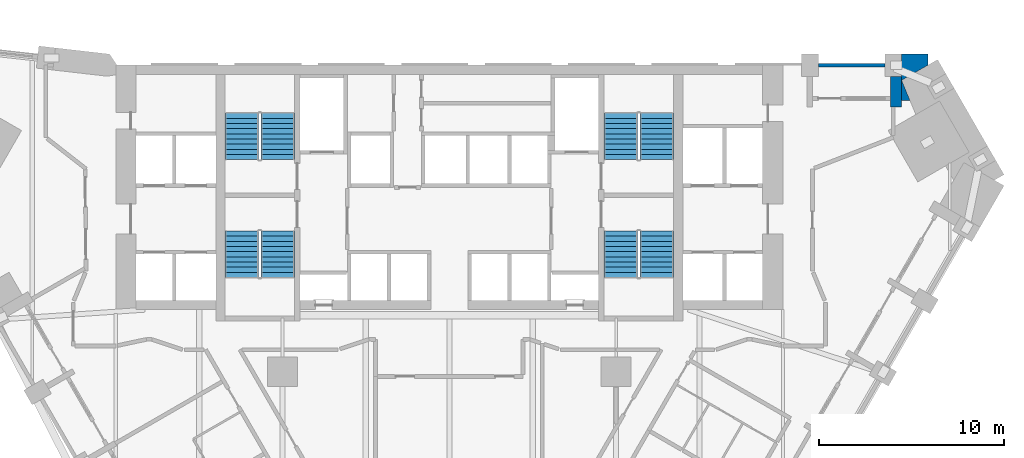
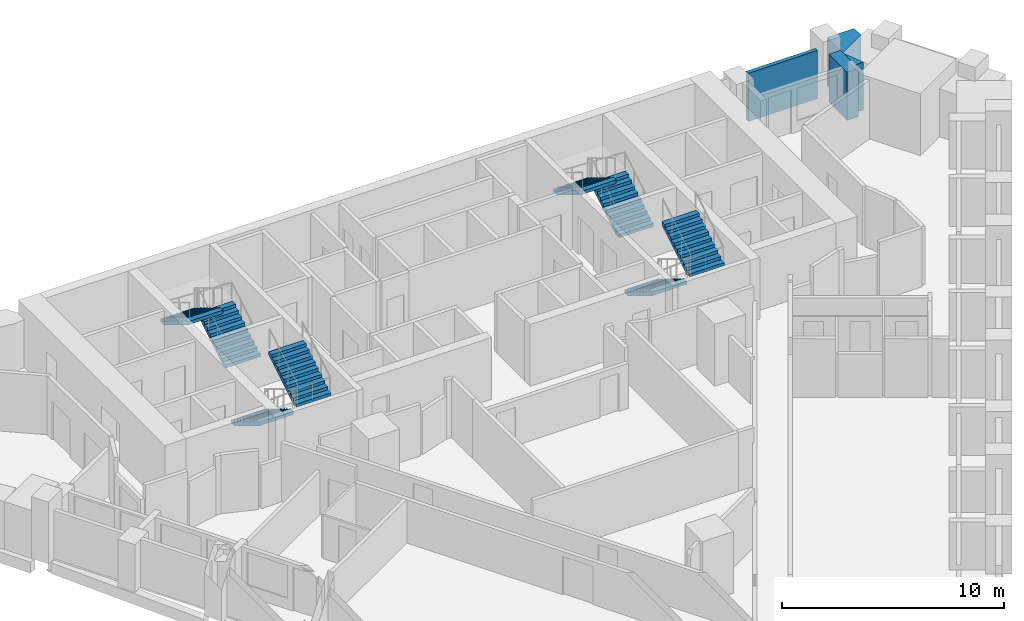
# One storey, part 9 of 10: 8 stair flights, 4 walls, 4 elements without a shape of their own.
"""IFC4 building model written with IfcOpenShell, lengths in metres."""

from ifc_helpers import new_model, si_unit, direction, frame, frame_2d, origin, place, context, subcontext, project, spatial, polyline, rectangle, outline, extrude, faceted_brep, source, transform, mapped, material, layer, layer_set, type_object, element, aggregate, save


model = new_model("IFC4")

# Units and contexts
model_context = context("Model", 3, precision=1e-05, world=origin(), true_north=direction((0.0, 1.0)))
body_context = subcontext(model_context, "Body", "Model", "MODEL_VIEW")
ifc_project = project(units=[si_unit("LENGTHUNIT", "METRE"), si_unit("AREAUNIT", "SQUARE_METRE"), si_unit("VOLUMEUNIT", "CUBIC_METRE"), si_unit("PLANEANGLEUNIT", "RADIAN"), si_unit("MASSUNIT", "GRAM", prefix="KILO")], contexts=[model_context])

# Site, building, storey
site_placement = place(None, origin())
site = spatial("IfcSite", under=ifc_project, at=site_placement, CompositionType="ELEMENT")
building_placement = place(site_placement, origin())
building = spatial("IfcBuilding", under=site, at=building_placement, Name="Calabash Gate Tower", CompositionType="ELEMENT")
storey_placement = place(building_placement, frame((0.0, 0.0, 63.0)))
storey = spatial("IfcBuildingStorey", under=building, at=storey_placement, Name="L11", CompositionType="ELEMENT", Elevation=63.0)

# Walls
ifc_material_1 = material(Name="Terracotta brick masonry, exposed face", Category="masonry")
ifc_layer_1 = layer(ifc_material_1, 2.5)
ifc_layer_set_1 = layer_set([ifc_layer_1], Name="Brick corner mass wall 2500")
wall_type_1 = type_object("IfcWallType", Name="Brick corner mass wall 2500", PredefinedType="SOLIDWALL", material=ifc_layer_set_1)
wall_1_placement = place(storey_placement, origin())
element("IfcWall", 1, at=wall_1_placement, inside=storey, type_object=wall_type_1, Name="Brick corner pier S02 3ca", PredefinedType="SOLIDWALL", context=body_context, shape_type="SweptSolid", body=[
    extrude(outline(polyline([(24.413818359375, 17.152587890625), (24.860595703125, 17.152587890625), (24.413818359375, 18.234375), (24.413818359375, 17.152587890625)])), origin(), (0.0, 0.0, 1.0), 2.6298828125),
])
wall_2_placement = place(storey_placement, origin())
element("IfcWall", 2, at=wall_2_placement, inside=storey, type_object=wall_type_1, Name="Brick corner pier S02 3cb", PredefinedType="SOLIDWALL", context=body_context, shape_type="SweptSolid", body=[
    extrude(outline(polyline([(24.4140625, 19.652587890625), (24.4140625, 18.452880859375), (24.413818359375, 18.452880859375), (24.413818359375, 18.234375), (25.831298828125, 19.052490234375), (25.831298828125, 19.652587890625), (24.4140625, 19.652587890625)])), origin(), (0.0, 0.0, 1.0), 2.6298828125),
])
ifc_material_2 = material(Name="Terracotta brick masonry, exposed face", Category="masonry")
ifc_layer_2 = layer(ifc_material_2, 0.300048828125)
ifc_layer_set_2 = layer_set([ifc_layer_2], Name="Brick loggia cheek wall 300")
wall_type_2 = type_object("IfcWallType", Name="Brick loggia cheek wall 300", PredefinedType="SOLIDWALL", material=ifc_layer_set_2)
wall_3_placement = place(storey_placement, origin())
element("IfcWall", 3, at=wall_3_placement, inside=storey, type_object=wall_type_2, Name="Loggia cheek S02 N4.0", PredefinedType="SOLIDWALL", context=body_context, shape_type="SweptSolid", body=[
    extrude(outline(polyline([(24.413818359375, 16.802490234375), (24.413818359375, 18.45263671875), (23.81396484375, 18.45263671875), (23.81396484375, 16.802490234375), (24.413818359375, 16.802490234375)])), origin(), (0.0, 0.0, 1.0), 2.64990234375),
])
ifc_material_3 = material(Name="Terracotta brick masonry, perforated", Category="masonry")
ifc_layer_3 = layer(ifc_material_3, 0.199951171875)
ifc_layer_set_3 = layer_set([ifc_layer_3], Name="Terracotta jaali screen B")
wall_type_3 = type_object("IfcWallType", Name="Terracotta jaali screen B", PredefinedType="SOLIDWALL", material=ifc_layer_set_3)
wall_4_placement = place(storey_placement, frame((23.513916015625, 19.052490234375, 0.0), z_axis=(0.0, 0.0, 1.0), x_axis=(-1.0, 0.0, 0.0)))
element("IfcWall", 4, at=wall_4_placement, inside=storey, type_object=wall_type_3, Name="SCREEN B S02 N4.1", PredefinedType="SOLIDWALL", context=body_context, shape_type="SweptSolid", body=[
    extrude(rectangle(XDim=3.60009765625, YDim=0.199951171875, at=frame_2d((1.800048828125, 0.0))), origin(), (0.0, 0.0, 1.0), 2.64990234375),
])

# Stair, stair flights
ifc_material_4 = material(Name="Concrete C40/50", Category="concrete")
stair_type = type_object("IfcStairType", Name="Exit stair 20 risers of 170 mm", PredefinedType="HALF_TURN_STAIR", material=ifc_material_4)
stair_1_placement = place(storey_placement, origin())
stair_1 = element("IfcStair", 5, at=stair_1_placement, inside=storey, type_object=stair_type, Name="L11 Exit stair ST1", PredefinedType="HALF_TURN_STAIR")
ifc_material_5 = material(Name="Concrete C40/50", Category="concrete")
stair_flight_type = type_object("IfcStairFlightType", Name="Exit stair flight SFL", PredefinedType="STRAIGHT", material=ifc_material_5)
shared_shape = source(origin(), body_context, "Body", "Brep", [
    faceted_brep([(-0.0009765625, -0.89990234375, 0.0), (0.2880859375, -0.89990234375, 0.0), (2.511962890625, -0.89990234375, 1.3544921875), (-0.0009765625, 0.89990234375, 0.0), (2.511962890625, 0.89990234375, 1.3544921875), (0.2880859375, 0.89990234375, 0.0), (2.511962890625, -0.89990234375, 1.5419921875), (2.510986328125, -0.89990234375, 1.5419921875), (2.510986328125, 0.89990234375, 1.5419921875), (2.511962890625, 0.89990234375, 1.5419921875), (2.510986328125, -0.89990234375, 1.530029296875), (2.510986328125, 0.89990234375, 1.530029296875), (2.23193359375, -0.89990234375, 1.530029296875), (2.23193359375, 0.89990234375, 1.530029296875), (2.23193359375, -0.89990234375, 1.360107421875), (2.23193359375, 0.89990234375, 1.360107421875), (1.952880859375, -0.89990234375, 1.360107421875), (1.952880859375, 0.89990234375, 1.360107421875), (1.952880859375, -0.89990234375, 1.18994140625), (1.952880859375, 0.89990234375, 1.18994140625), (1.674072265625, -0.89990234375, 1.18994140625), (1.674072265625, -0.89990234375, 1.02001953125), (1.674072265625, 0.89990234375, 1.02001953125), (1.674072265625, 0.89990234375, 1.18994140625), (1.39501953125, -0.89990234375, 1.02001953125), (1.39501953125, -0.89990234375, 0.85009765625), (1.39501953125, 0.89990234375, 0.85009765625), (1.39501953125, 0.89990234375, 1.02001953125), (1.115966796875, -0.89990234375, 0.85009765625), (1.115966796875, -0.89990234375, 0.679931640625), (1.115966796875, 0.89990234375, 0.679931640625), (1.115966796875, 0.89990234375, 0.85009765625), (0.8369140625, -0.89990234375, 0.679931640625), (0.8369140625, -0.89990234375, 0.510009765625), (0.8369140625, 0.89990234375, 0.510009765625), (0.8369140625, 0.89990234375, 0.679931640625), (0.55810546875, -0.89990234375, 0.510009765625), (0.55810546875, -0.89990234375, 0.340087890625), (0.55810546875, 0.89990234375, 0.340087890625), (0.55810546875, 0.89990234375, 0.510009765625), (0.279052734375, -0.89990234375, 0.340087890625), (0.279052734375, -0.89990234375, 0.169921875), (0.279052734375, 0.89990234375, 0.169921875), (0.279052734375, 0.89990234375, 0.340087890625), (-0.0009765625, -0.89990234375, 0.169921875), (-0.0009765625, 0.89990234375, 0.169921875), (0.2880859375, -0.360107421875, 0.0), (2.511962890625, -0.360107421875, 1.3544921875), (0.2880859375, -0.179931640625, 0.0), (2.511962890625, -0.179931640625, 1.3544921875), (0.2880859375, 0.0, 0.0), (2.511962890625, 0.0, 1.3544921875), (0.2880859375, 0.179931640625, 0.0), (2.511962890625, 0.179931640625, 1.3544921875), (0.2880859375, 0.360107421875, 0.0), (2.511962890625, 0.360107421875, 1.3544921875), (2.511962890625, -0.360107421875, 1.5419921875), (2.511962890625, -0.179931640625, 1.5419921875), (2.511962890625, 0.0, 1.5419921875), (2.511962890625, 0.179931640625, 1.5419921875), (2.511962890625, 0.360107421875, 1.5419921875), (2.510986328125, -0.360107421875, 1.5419921875), (2.510986328125, -0.179931640625, 1.5419921875), (2.510986328125, 0.0, 1.5419921875), (2.510986328125, 0.179931640625, 1.5419921875), (2.510986328125, 0.360107421875, 1.5419921875), (2.510986328125, -0.360107421875, 1.530029296875), (2.510986328125, -0.179931640625, 1.530029296875), (2.510986328125, 0.0, 1.530029296875), (2.510986328125, 0.179931640625, 1.530029296875), (2.510986328125, 0.360107421875, 1.530029296875), (2.23193359375, -0.360107421875, 1.530029296875), (2.23193359375, -0.179931640625, 1.530029296875), (2.23193359375, 0.0, 1.530029296875), (2.23193359375, 0.179931640625, 1.530029296875), (2.23193359375, 0.360107421875, 1.530029296875), (2.23193359375, -0.360107421875, 1.360107421875), (2.23193359375, -0.179931640625, 1.360107421875), (2.23193359375, 0.0, 1.360107421875), (2.23193359375, 0.179931640625, 1.360107421875), (2.23193359375, 0.360107421875, 1.360107421875), (1.952880859375, -0.360107421875, 1.360107421875), (1.952880859375, -0.179931640625, 1.360107421875), (1.952880859375, 0.0, 1.360107421875), (1.952880859375, 0.179931640625, 1.360107421875), (1.952880859375, 0.360107421875, 1.360107421875), (1.952880859375, -0.360107421875, 1.18994140625), (1.952880859375, -0.179931640625, 1.18994140625), (1.952880859375, 0.0, 1.18994140625), (1.952880859375, 0.179931640625, 1.18994140625), (1.952880859375, 0.360107421875, 1.18994140625), (1.674072265625, -0.360107421875, 1.18994140625), (1.674072265625, -0.179931640625, 1.18994140625), (1.674072265625, 0.0, 1.18994140625), (1.674072265625, 0.179931640625, 1.18994140625), (1.674072265625, 0.360107421875, 1.18994140625), (1.674072265625, -0.360107421875, 1.02001953125), (1.674072265625, -0.179931640625, 1.02001953125), (1.674072265625, 0.0, 1.02001953125), (1.674072265625, 0.179931640625, 1.02001953125), (1.674072265625, 0.360107421875, 1.02001953125), (1.39501953125, -0.360107421875, 1.02001953125), (1.39501953125, -0.179931640625, 1.02001953125), (1.39501953125, 0.0, 1.02001953125), (1.39501953125, 0.179931640625, 1.02001953125), (1.39501953125, 0.360107421875, 1.02001953125), (1.39501953125, -0.360107421875, 0.85009765625), (1.39501953125, -0.179931640625, 0.85009765625), (1.39501953125, 0.0, 0.85009765625), (1.39501953125, 0.179931640625, 0.85009765625), (1.39501953125, 0.360107421875, 0.85009765625), (1.115966796875, -0.360107421875, 0.85009765625), (1.115966796875, -0.179931640625, 0.85009765625), (1.115966796875, 0.0, 0.85009765625), (1.115966796875, 0.179931640625, 0.85009765625), (1.115966796875, 0.360107421875, 0.85009765625), (1.115966796875, -0.360107421875, 0.679931640625), (1.115966796875, -0.179931640625, 0.679931640625), (1.115966796875, 0.0, 0.679931640625), (1.115966796875, 0.179931640625, 0.679931640625), (1.115966796875, 0.360107421875, 0.679931640625), (0.8369140625, -0.360107421875, 0.679931640625), (0.8369140625, -0.179931640625, 0.679931640625), (0.8369140625, 0.0, 0.679931640625), (0.8369140625, 0.179931640625, 0.679931640625), (0.8369140625, 0.360107421875, 0.679931640625), (0.8369140625, -0.360107421875, 0.510009765625), (0.8369140625, -0.179931640625, 0.510009765625), (0.8369140625, 0.0, 0.510009765625), (0.8369140625, 0.179931640625, 0.510009765625), (0.8369140625, 0.360107421875, 0.510009765625), (0.55810546875, -0.360107421875, 0.510009765625), (0.55810546875, -0.179931640625, 0.510009765625), (0.55810546875, 0.0, 0.510009765625), (0.55810546875, 0.179931640625, 0.510009765625), (0.55810546875, 0.360107421875, 0.510009765625), (0.55810546875, -0.360107421875, 0.340087890625), (0.55810546875, -0.179931640625, 0.340087890625), (0.55810546875, 0.0, 0.340087890625), (0.55810546875, 0.179931640625, 0.340087890625), (0.55810546875, 0.360107421875, 0.340087890625), (0.279052734375, -0.360107421875, 0.340087890625), (0.279052734375, -0.179931640625, 0.340087890625), (0.279052734375, 0.0, 0.340087890625), (0.279052734375, 0.179931640625, 0.340087890625), (0.279052734375, 0.360107421875, 0.340087890625), (0.279052734375, -0.360107421875, 0.169921875), (0.279052734375, -0.179931640625, 0.169921875), (0.279052734375, 0.0, 0.169921875), (0.279052734375, 0.179931640625, 0.169921875), (0.279052734375, 0.360107421875, 0.169921875), (-0.0009765625, -0.360107421875, 0.169921875), (-0.0009765625, -0.179931640625, 0.169921875), (-0.0009765625, 0.0, 0.169921875), (-0.0009765625, 0.179931640625, 0.169921875), (-0.0009765625, 0.360107421875, 0.169921875), (-0.0009765625, -0.360107421875, 0.0), (-0.0009765625, -0.179931640625, 0.0), (-0.0009765625, 0.0, 0.0), (-0.0009765625, 0.179931640625, 0.0), (-0.0009765625, 0.360107421875, 0.0)], [[[0, 1, 2]], [[3, 4, 5]], [[2, 6, 7]], [[4, 8, 9]], [[2, 7, 10]], [[4, 11, 8]], [[2, 10, 12]], [[4, 13, 11]], [[2, 12, 14]], [[4, 15, 13]], [[2, 14, 16]], [[4, 17, 15]], [[2, 16, 18]], [[4, 19, 17]], [[18, 20, 21]], [[19, 22, 23]], [[2, 18, 21]], [[4, 22, 19]], [[21, 24, 25]], [[22, 26, 27]], [[2, 21, 25]], [[4, 26, 22]], [[25, 28, 29]], [[26, 30, 31]], [[2, 25, 29]], [[4, 30, 26]], [[29, 32, 33]], [[30, 34, 35]], [[2, 29, 33]], [[4, 34, 30]], [[33, 36, 37]], [[34, 38, 39]], [[2, 33, 37]], [[4, 38, 34]], [[37, 40, 41]], [[38, 42, 43]], [[2, 37, 41]], [[4, 42, 38]], [[0, 2, 41]], [[3, 42, 4]], [[41, 44, 0]], [[42, 3, 45]], [[1, 46, 2]], [[46, 47, 2]], [[46, 48, 47]], [[48, 49, 47]], [[48, 50, 49]], [[50, 51, 49]], [[50, 52, 53]], [[50, 53, 51]], [[52, 54, 55]], [[52, 55, 53]], [[54, 5, 4]], [[54, 4, 55]], [[2, 47, 6]], [[47, 56, 6]], [[47, 49, 56]], [[49, 57, 56]], [[49, 51, 57]], [[51, 58, 57]], [[51, 53, 59]], [[51, 59, 58]], [[53, 55, 60]], [[53, 60, 59]], [[55, 4, 9]], [[55, 9, 60]], [[6, 56, 7]], [[56, 61, 7]], [[56, 57, 61]], [[57, 62, 61]], [[57, 58, 62]], [[58, 63, 62]], [[58, 59, 64]], [[58, 64, 63]], [[59, 60, 65]], [[59, 65, 64]], [[60, 9, 8]], [[60, 8, 65]], [[7, 61, 10]], [[61, 66, 10]], [[61, 62, 66]], [[62, 67, 66]], [[62, 63, 67]], [[63, 68, 67]], [[63, 64, 69]], [[63, 69, 68]], [[64, 65, 70]], [[64, 70, 69]], [[65, 8, 11]], [[65, 11, 70]], [[10, 66, 12]], [[66, 71, 12]], [[66, 67, 71]], [[67, 72, 71]], [[67, 68, 72]], [[68, 73, 72]], [[68, 69, 74]], [[68, 74, 73]], [[69, 70, 75]], [[69, 75, 74]], [[70, 11, 13]], [[70, 13, 75]], [[12, 71, 14]], [[71, 76, 14]], [[71, 72, 76]], [[72, 77, 76]], [[72, 73, 77]], [[73, 78, 77]], [[73, 74, 79]], [[73, 79, 78]], [[74, 75, 80]], [[74, 80, 79]], [[75, 13, 15]], [[75, 15, 80]], [[14, 76, 16]], [[76, 81, 16]], [[76, 77, 81]], [[77, 82, 81]], [[77, 78, 82]], [[78, 83, 82]], [[78, 79, 84]], [[78, 84, 83]], [[79, 80, 85]], [[79, 85, 84]], [[80, 15, 17]], [[80, 17, 85]], [[16, 81, 18]], [[81, 86, 18]], [[81, 82, 86]], [[82, 87, 86]], [[82, 83, 87]], [[83, 88, 87]], [[83, 84, 89]], [[83, 89, 88]], [[84, 85, 90]], [[84, 90, 89]], [[85, 17, 19]], [[85, 19, 90]], [[18, 86, 20]], [[86, 91, 20]], [[86, 87, 91]], [[87, 92, 91]], [[87, 88, 92]], [[88, 93, 92]], [[88, 89, 94]], [[88, 94, 93]], [[89, 90, 95]], [[89, 95, 94]], [[90, 19, 23]], [[90, 23, 95]], [[20, 91, 21]], [[91, 96, 21]], [[91, 92, 96]], [[92, 97, 96]], [[92, 93, 97]], [[93, 98, 97]], [[93, 94, 99]], [[93, 99, 98]], [[94, 95, 100]], [[94, 100, 99]], [[95, 23, 22]], [[95, 22, 100]], [[21, 96, 24]], [[96, 101, 24]], [[96, 97, 101]], [[97, 102, 101]], [[97, 98, 102]], [[98, 103, 102]], [[98, 99, 104]], [[98, 104, 103]], [[99, 100, 105]], [[99, 105, 104]], [[100, 22, 27]], [[100, 27, 105]], [[24, 101, 25]], [[101, 106, 25]], [[101, 102, 106]], [[102, 107, 106]], [[102, 103, 107]], [[103, 108, 107]], [[103, 104, 109]], [[103, 109, 108]], [[104, 105, 110]], [[104, 110, 109]], [[105, 27, 26]], [[105, 26, 110]], [[25, 106, 28]], [[106, 111, 28]], [[106, 107, 111]], [[107, 112, 111]], [[107, 108, 112]], [[108, 113, 112]], [[108, 109, 114]], [[108, 114, 113]], [[109, 110, 115]], [[109, 115, 114]], [[110, 26, 31]], [[110, 31, 115]], [[28, 111, 29]], [[111, 116, 29]], [[111, 112, 116]], [[112, 117, 116]], [[112, 113, 117]], [[113, 118, 117]], [[113, 114, 119]], [[113, 119, 118]], [[114, 115, 120]], [[114, 120, 119]], [[115, 31, 30]], [[115, 30, 120]], [[29, 116, 32]], [[116, 121, 32]], [[116, 117, 121]], [[117, 122, 121]], [[117, 118, 122]], [[118, 123, 122]], [[118, 119, 124]], [[118, 124, 123]], [[119, 120, 125]], [[119, 125, 124]], [[120, 30, 35]], [[120, 35, 125]], [[32, 121, 33]], [[121, 126, 33]], [[121, 122, 126]], [[122, 127, 126]], [[122, 123, 127]], [[123, 128, 127]], [[123, 124, 129]], [[123, 129, 128]], [[124, 125, 130]], [[124, 130, 129]], [[125, 35, 34]], [[125, 34, 130]], [[33, 126, 36]], [[126, 131, 36]], [[126, 127, 131]], [[127, 132, 131]], [[127, 128, 132]], [[128, 133, 132]], [[128, 129, 134]], [[128, 134, 133]], [[129, 130, 135]], [[129, 135, 134]], [[130, 34, 39]], [[130, 39, 135]], [[36, 131, 37]], [[131, 136, 37]], [[131, 132, 136]], [[132, 137, 136]], [[132, 133, 137]], [[133, 138, 137]], [[133, 134, 139]], [[133, 139, 138]], [[134, 135, 140]], [[134, 140, 139]], [[135, 39, 38]], [[135, 38, 140]], [[37, 136, 40]], [[136, 141, 40]], [[136, 137, 141]], [[137, 142, 141]], [[137, 138, 142]], [[138, 143, 142]], [[138, 139, 144]], [[138, 144, 143]], [[139, 140, 145]], [[139, 145, 144]], [[140, 38, 43]], [[140, 43, 145]], [[40, 141, 41]], [[141, 146, 41]], [[141, 142, 146]], [[142, 147, 146]], [[142, 143, 147]], [[143, 148, 147]], [[143, 144, 149]], [[143, 149, 148]], [[144, 145, 150]], [[144, 150, 149]], [[145, 43, 42]], [[145, 42, 150]], [[41, 146, 44]], [[146, 151, 44]], [[146, 147, 151]], [[147, 152, 151]], [[147, 148, 152]], [[148, 153, 152]], [[148, 149, 154]], [[148, 154, 153]], [[149, 150, 155]], [[149, 155, 154]], [[150, 42, 45]], [[150, 45, 155]], [[44, 151, 0]], [[151, 156, 0]], [[151, 152, 156]], [[152, 157, 156]], [[152, 153, 157]], [[153, 158, 157]], [[153, 154, 159]], [[153, 159, 158]], [[154, 155, 160]], [[154, 160, 159]], [[155, 45, 3]], [[155, 3, 160]], [[0, 156, 1]], [[156, 46, 1]], [[156, 157, 46]], [[157, 48, 46]], [[157, 158, 48]], [[158, 50, 48]], [[158, 159, 52]], [[158, 52, 50]], [[159, 160, 54]], [[159, 54, 52]], [[160, 3, 5]], [[160, 5, 54]]]),
])
stair_flight_1_placement = place(storey_placement, frame((-9.25, 13.95263671875, 0.0), z_axis=(0.0, 0.0, 1.0), x_axis=(0.0, 1.0, 0.0)))
stair_flight_1 = element("IfcStairFlight", 6, at=stair_flight_1_placement, type_object=stair_flight_type, Name="ST1 flight 1", NumberOfRisers=10, NumberOfTreads=9, PredefinedType="STRAIGHT", RiserHeight=0.17, TreadLength=0.279, context=body_context, shape_type="MappedRepresentation", body=[
    mapped(shared_shape, transform((0.0, 0.0, 0.0), scale=1.0)),
])
stair_flight_2_placement = place(storey_placement, frame((-11.199951171875, 16.463623046875, 1.699951171875), z_axis=(0.0, 0.0, 1.0), x_axis=(0.0, -1.0, 0.0)))
stair_flight_2 = element("IfcStairFlight", 7, at=stair_flight_2_placement, type_object=stair_flight_type, Name="ST1 flight 2", NumberOfRisers=10, NumberOfTreads=9, PredefinedType="STRAIGHT", RiserHeight=0.17, TreadLength=0.279, context=body_context, shape_type="MappedRepresentation", body=[
    mapped(shared_shape, transform((0.0, 0.0, 0.0), scale=1.0)),
])
aggregate(stair_1, [stair_flight_1, stair_flight_2])

stair_2_placement = place(storey_placement, origin())
stair_2 = element("IfcStair", 8, at=stair_2_placement, inside=storey, type_object=stair_type, Name="L11 Exit stair ST2", PredefinedType="HALF_TURN_STAIR")
stair_flight_3_placement = place(storey_placement, frame((-11.199951171875, 10.1025390625, 0.0), z_axis=(0.0, 0.0, 1.0), x_axis=(0.0, -1.0, 0.0)))
stair_flight_3 = element("IfcStairFlight", 9, at=stair_flight_3_placement, type_object=stair_flight_type, Name="ST2 flight 1", NumberOfRisers=10, NumberOfTreads=9, PredefinedType="STRAIGHT", RiserHeight=0.17, TreadLength=0.279, context=body_context, shape_type="MappedRepresentation", body=[
    mapped(shared_shape, transform((0.0, 0.0, 0.0), scale=1.0)),
])
stair_flight_4_placement = place(storey_placement, frame((-9.25, 7.591552734375, 1.699951171875), z_axis=(0.0, 0.0, 1.0), x_axis=(0.0, 1.0, 0.0)))
stair_flight_4 = element("IfcStairFlight", 10, at=stair_flight_4_placement, type_object=stair_flight_type, Name="ST2 flight 2", NumberOfRisers=10, NumberOfTreads=9, PredefinedType="STRAIGHT", RiserHeight=0.17, TreadLength=0.279, context=body_context, shape_type="MappedRepresentation", body=[
    mapped(shared_shape, transform((0.0, 0.0, 0.0), scale=1.0)),
])
aggregate(stair_2, [stair_flight_3, stair_flight_4])

stair_3_placement = place(storey_placement, origin())
stair_3 = element("IfcStair", 11, at=stair_3_placement, inside=storey, type_object=stair_type, Name="L11 Exit stair ST3", PredefinedType="HALF_TURN_STAIR")
stair_flight_5_placement = place(storey_placement, frame((11.199951171875, 13.95263671875, 0.0), z_axis=(0.0, 0.0, 1.0), x_axis=(0.0, 1.0, 0.0)))
stair_flight_5 = element("IfcStairFlight", 12, at=stair_flight_5_placement, type_object=stair_flight_type, Name="ST3 flight 1", NumberOfRisers=10, NumberOfTreads=9, PredefinedType="STRAIGHT", RiserHeight=0.17, TreadLength=0.279, context=body_context, shape_type="MappedRepresentation", body=[
    mapped(shared_shape, transform((0.0, 0.0, 0.0), scale=1.0)),
])
stair_flight_6_placement = place(storey_placement, frame((9.25, 16.463623046875, 1.699951171875), z_axis=(0.0, 0.0, 1.0), x_axis=(0.0, -1.0, 0.0)))
stair_flight_6 = element("IfcStairFlight", 13, at=stair_flight_6_placement, type_object=stair_flight_type, Name="ST3 flight 2", NumberOfRisers=10, NumberOfTreads=9, PredefinedType="STRAIGHT", RiserHeight=0.17, TreadLength=0.279, context=body_context, shape_type="MappedRepresentation", body=[
    mapped(shared_shape, transform((0.0, 0.0, 0.0), scale=1.0)),
])
aggregate(stair_3, [stair_flight_5, stair_flight_6])

stair_4_placement = place(storey_placement, origin())
stair_4 = element("IfcStair", 14, at=stair_4_placement, inside=storey, type_object=stair_type, Name="L11 Exit stair ST4", PredefinedType="HALF_TURN_STAIR")
stair_flight_7_placement = place(storey_placement, frame((9.25, 10.1025390625, 0.0), z_axis=(0.0, 0.0, 1.0), x_axis=(0.0, -1.0, 0.0)))
stair_flight_7 = element("IfcStairFlight", 15, at=stair_flight_7_placement, type_object=stair_flight_type, Name="ST4 flight 1", NumberOfRisers=10, NumberOfTreads=9, PredefinedType="STRAIGHT", RiserHeight=0.17, TreadLength=0.279, context=body_context, shape_type="MappedRepresentation", body=[
    mapped(shared_shape, transform((0.0, 0.0, 0.0), scale=1.0)),
])
stair_flight_8_placement = place(storey_placement, frame((11.199951171875, 7.591552734375, 1.699951171875), z_axis=(0.0, 0.0, 1.0), x_axis=(0.0, 1.0, 0.0)))
stair_flight_8 = element("IfcStairFlight", 16, at=stair_flight_8_placement, type_object=stair_flight_type, Name="ST4 flight 2", NumberOfRisers=10, NumberOfTreads=9, PredefinedType="STRAIGHT", RiserHeight=0.17, TreadLength=0.279, context=body_context, shape_type="MappedRepresentation", body=[
    mapped(shared_shape, transform((0.0, 0.0, 0.0), scale=1.0)),
])
aggregate(stair_4, [stair_flight_7, stair_flight_8])

save(model, "model.ifc")
